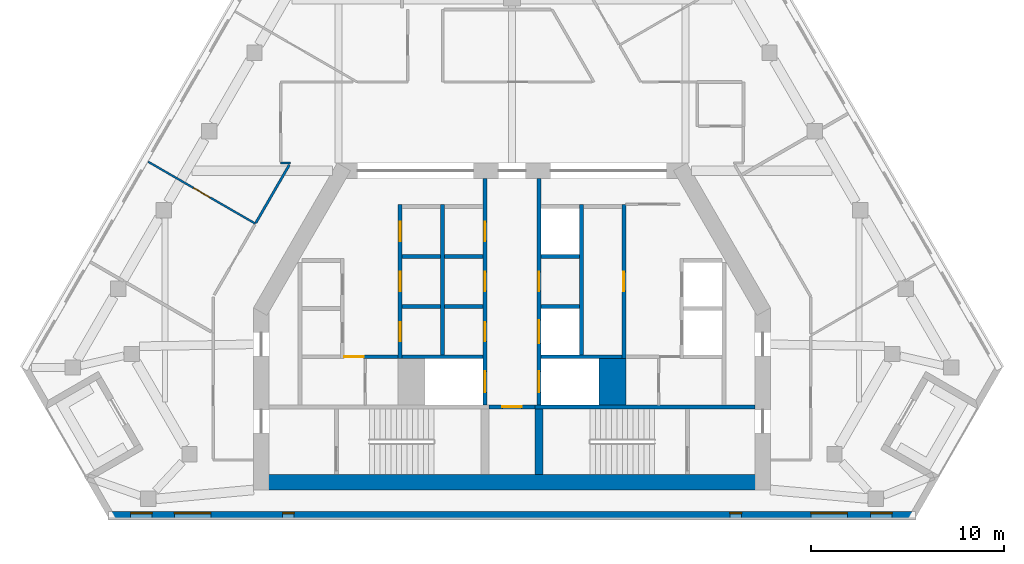
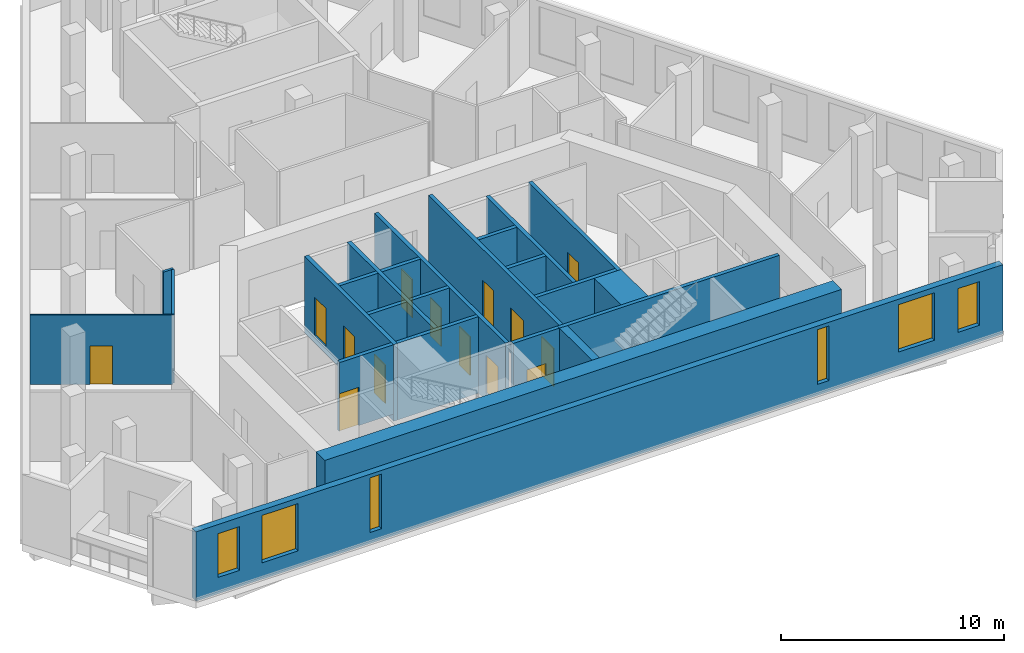
# One storey, part 3 of 9: 24 walls, 14 doors, 6 windows, 20 openings.
"""IFC4 building model written with IfcOpenShell, lengths in metres."""

from ifc_helpers import new_model, si_unit, direction, frame, frame_2d, origin, place, context, subcontext, project, spatial, rectangle, extrude, material, layer, layer_set, type_object, element, fill, save


model = new_model("IFC4")

# Units and contexts
model_context = context("Model", 3, precision=1e-05, world=origin(), true_north=direction((0.0, 1.0)))
body_context = subcontext(model_context, "Body", "Model", "MODEL_VIEW")
ifc_project = project(units=[si_unit("LENGTHUNIT", "METRE"), si_unit("AREAUNIT", "SQUARE_METRE"), si_unit("VOLUMEUNIT", "CUBIC_METRE"), si_unit("PLANEANGLEUNIT", "RADIAN"), si_unit("MASSUNIT", "GRAM", prefix="KILO")], contexts=[model_context])

# Site, building, storey
site_placement = place(None, origin())
site = spatial("IfcSite", under=ifc_project, at=site_placement, CompositionType="ELEMENT")
building_placement = place(site_placement, origin())
building = spatial("IfcBuilding", under=site, at=building_placement, Name="Fogline Exchange Tower", CompositionType="ELEMENT")
storey_placement = place(building_placement, frame((0.0, 0.0, 287.699951171875)))
storey = spatial("IfcBuildingStorey", under=building, at=storey_placement, Name="L65", CompositionType="ELEMENT", Elevation=287.699951171875)

# Walls
ifc_material_1 = material(Name="Concrete C60", Category="concrete")
ifc_layer_1 = layer(ifc_material_1, 1.39990234375)
ifc_layer_set_1 = layer_set([ifc_layer_1], Name="CW140")
wall_type_1 = type_object("IfcWallType", Name="CW140", PredefinedType="SOLIDWALL", material=ifc_layer_set_1)
wall_1_placement = place(storey_placement, frame((5.199951171875, 5.85009765625, -0.39990234375), z_axis=(0.0, 0.0, 1.0), x_axis=(0.0, 1.0, 0.0)))
element("IfcWall", 1, at=wall_1_placement, inside=storey, type_object=wall_type_1, Name="Lift shaft block wall", PredefinedType="SOLIDWALL", context=body_context, shape_type="SweptSolid", body=[
    extrude(rectangle(XDim=2.39990234375, YDim=1.39990234375, at=frame_2d((1.199951171875, 0.0))), origin(), (0.0, 0.0, 1.0), 4.199951171875),
])
ifc_material_2 = material(Name="Concrete C40", Category="concrete")
ifc_layer_2 = layer(ifc_material_2, 0.199951171875)
ifc_layer_set_2 = layer_set([ifc_layer_2], Name="CW20")
wall_type_2 = type_object("IfcWallType", Name="CW20", PredefinedType="SOLIDWALL", material=ifc_layer_set_2)
for number, where, z_axis, x_axis, name in (
    (2, (-5.699951171875, 10.949951171875, 0.0), (0.0, 0.0, 1.0), (1.0, 0.0, 0.0), "Service room wall"),
    (3, (-5.699951171875, 13.550048828125, 0.0), (0.0, 0.0, 1.0), (1.0, 0.0, 0.0), "Service room wall"),
    (4, (-3.5, 10.949951171875, 0.0), (0.0, 0.0, 1.0), (1.0, 0.0, 0.0), "Service room wall"),
    (5, (-3.5, 13.550048828125, 0.0), (0.0, 0.0, 1.0), (1.0, 0.0, 0.0), "Service room wall"),
):
    element("IfcWall", number, at=place(storey_placement, frame(where, z_axis=z_axis, x_axis=x_axis)), inside=storey, type_object=wall_type_2, Name=name, PredefinedType="SOLIDWALL", context=body_context, shape_type="SweptSolid", body=[
        extrude(rectangle(XDim=2.0, YDim=0.199951171875, at=frame_2d((1.0, 0.0))), origin(), (0.0, 0.0, 1.0), 3.800048828125),
    ])

# Wall, opening, door
wall_2_placement = place(storey_placement, frame((-8.699951171875, 8.35009765625, 0.0), z_axis=(0.0, 0.0, 1.0), x_axis=(1.0, 0.0, 0.0)))
wall_2 = element("IfcWall", 6, at=wall_2_placement, inside=storey, type_object=wall_type_2, Name="WC wall", PredefinedType="SOLIDWALL", context=body_context, shape_type="SweptSolid", body=[
    extrude(rectangle(XDim=2.800048828125, YDim=0.199951171875, at=frame_2d((1.39990234375, 0.0))), origin(), (0.0, 0.0, 1.0), 3.800048828125),
])
opening_1_placement = place(wall_2_placement, origin())
opening_1 = element("IfcOpeningElement", 7, at=opening_1_placement, cuts=wall_2, Name="Opening T20-C012", PredefinedType="OPENING", context=body_context, shape_type="SweptSolid", body=[
    extrude(rectangle(XDim=1.0, YDim=2.10009765625, at=frame_2d((0.5, 1.050048828125))), frame((0.0, 0.10986328125, 0.0), z_axis=(0.0, -1.0, 0.0), x_axis=(1.0, 0.0, 0.0)), (0.0, 0.0, 1.0), 0.219970703125),
])
ifc_material_3 = material(Name="Steel and timber fire door", Category="steel")
door_type_1 = type_object("IfcDoorType", Name="D-WC1", OperationType="SINGLE_SWING_LEFT", PredefinedType="DOOR", material=ifc_material_3)
door_1_placement = place(opening_1_placement, frame((1.0, 0.0, 0.0), z_axis=(0.0, 0.0, 1.0), x_axis=(-1.0, 0.0, 0.0)))
door_1 = element("IfcDoor", 8, at=door_1_placement, inside=storey, type_object=door_type_1, Name="Door to Men's WC", OperationType="SINGLE_SWING_LEFT", OverallHeight=2.10009765625, OverallWidth=1.0, PredefinedType="DOOR", context=body_context, shape_type="SweptSolid", body=[
    extrude(rectangle(XDim=1.0, YDim=2.10009765625, at=frame_2d((0.5, 1.050048828125))), frame((0.0, 0.02490234375, 0.0), z_axis=(0.0, -1.0, 0.0), x_axis=(1.0, 0.0, 0.0)), (0.0, 0.0, 1.0), 0.050048828125),
])
fill(opening_1, door_1)

ifc_layer_3 = layer(ifc_material_2, 0.199951171875)
ifc_layer_set_3 = layer_set([ifc_layer_3], Name="CW20R")
wall_type_3 = type_object("IfcWallType", Name="CW20R", PredefinedType="SOLIDWALL", material=ifc_layer_set_3)
wall_3_placement = place(storey_placement, frame((-1.199951171875, 5.75, -0.39990234375), z_axis=(0.0, 0.0, 1.0), x_axis=(1.0, 0.0, 0.0)))
wall_3 = element("IfcWall", 9, at=wall_3_placement, inside=storey, type_object=wall_type_3, Name="Stair enclosure wall", PredefinedType="SOLIDWALL", context=body_context, shape_type="SweptSolid", body=[
    extrude(rectangle(XDim=2.39990234375, YDim=0.199951171875, at=frame_2d((1.199951171875, 0.0))), origin(), (0.0, 0.0, 1.0), 4.199951171875),
])
opening_2_placement = place(wall_3_placement, frame((0.699951171875, 0.0, 0.39990234375)))
opening_2 = element("IfcOpeningElement", 10, at=opening_2_placement, cuts=wall_3, Name="Opening T20-C011", PredefinedType="OPENING", context=body_context, shape_type="SweptSolid", body=[
    extrude(rectangle(XDim=1.0, YDim=2.10009765625, at=frame_2d((0.5, 1.050048828125))), frame((0.0, 0.10986328125, 0.0), z_axis=(0.0, -1.0, 0.0), x_axis=(1.0, 0.0, 0.0)), (0.0, 0.0, 1.0), 0.219970703125),
])
door_type_2 = type_object("IfcDoorType", Name="D-RM1", OperationType="SINGLE_SWING_LEFT", PredefinedType="DOOR", material=ifc_material_3)
door_2_placement = place(opening_2_placement, frame((1.0, 0.0, 0.0), z_axis=(0.0, 0.0, 1.0), x_axis=(-1.0, 0.0, 0.0)))
door_2 = element("IfcDoor", 11, at=door_2_placement, inside=storey, type_object=door_type_2, Name="Door to Library Store", OperationType="SINGLE_SWING_RIGHT", OverallHeight=2.10009765625, OverallWidth=1.0, PredefinedType="DOOR", context=body_context, shape_type="SweptSolid", body=[
    extrude(rectangle(XDim=1.0, YDim=2.10009765625, at=frame_2d((0.5, 1.050048828125))), frame((0.0, 0.02490234375, 0.0), z_axis=(0.0, -1.0, 0.0), x_axis=(1.0, 0.0, 0.0)), (0.0, 0.0, 1.0), 0.050048828125),
])
fill(opening_2, door_2)

# Wall
wall_4_placement = place(storey_placement, frame((1.199951171875, 5.75, -0.39990234375), z_axis=(0.0, 0.0, 1.0), x_axis=(1.0, 0.0, 0.0)))
element("IfcWall", 12, at=wall_4_placement, inside=storey, type_object=wall_type_3, Name="Stair enclosure wall", PredefinedType="SOLIDWALL", context=body_context, shape_type="SweptSolid", body=[
    extrude(rectangle(XDim=11.400146484375, YDim=0.199951171875, at=frame_2d((5.7001953125, 0.0))), origin(), (0.0, 0.0, 1.0), 4.199951171875),
])

# Wall, openings, doors
ifc_layer_4 = layer(ifc_material_2, 0.199951171875)
ifc_layer_set_4 = layer_set([ifc_layer_4], Name="CW20S")
wall_type_4 = type_object("IfcWallType", Name="CW20S", PredefinedType="SOLIDWALL", material=ifc_layer_set_4)
wall_5_placement = place(storey_placement, frame((-5.800048828125, 8.25, -0.39990234375), z_axis=(0.0, 0.0, 1.0), x_axis=(0.0, 1.0, 0.0)))
wall_5 = element("IfcWall", 13, at=wall_5_placement, inside=storey, type_object=wall_type_4, Name="Lift shaft wall", PredefinedType="SOLIDWALL", context=body_context, shape_type="SweptSolid", body=[
    extrude(rectangle(XDim=8.0, YDim=0.199951171875, at=frame_2d((4.0, 0.0))), origin(), (0.0, 0.0, 1.0), 4.199951171875),
])
opening_3_placement = place(wall_5_placement, frame((0.89990234375, 0.0, 0.39990234375)))
opening_3 = element("IfcOpeningElement", 14, at=opening_3_placement, cuts=wall_5, Name="Opening T20-C003", PredefinedType="OPENING", context=body_context, shape_type="SweptSolid", body=[
    extrude(rectangle(XDim=1.0, YDim=2.10009765625, at=frame_2d((0.5, 1.050048828125))), frame((0.0, 0.10986328125, 0.0), z_axis=(0.0, -1.0, 0.0), x_axis=(1.0, 0.0, 0.0)), (0.0, 0.0, 1.0), 0.219970703125),
])
opening_4_placement = place(wall_5_placement, frame((3.5, 0.0, 0.39990234375)))
opening_4 = element("IfcOpeningElement", 15, at=opening_4_placement, cuts=wall_5, Name="Opening T20-C004", PredefinedType="OPENING", context=body_context, shape_type="SweptSolid", body=[
    extrude(rectangle(XDim=1.0, YDim=2.10009765625, at=frame_2d((0.5, 1.050048828125))), frame((0.0, 0.10986328125, 0.0), z_axis=(0.0, -1.0, 0.0), x_axis=(1.0, 0.0, 0.0)), (0.0, 0.0, 1.0), 0.219970703125),
])
opening_5_placement = place(wall_5_placement, frame((6.10009765625, 0.0, 0.39990234375)))
opening_5 = element("IfcOpeningElement", 16, at=opening_5_placement, cuts=wall_5, Name="Opening T20-C005", PredefinedType="OPENING", context=body_context, shape_type="SweptSolid", body=[
    extrude(rectangle(XDim=1.0, YDim=2.10009765625, at=frame_2d((0.5, 1.050048828125))), frame((0.0, 0.10986328125, 0.0), z_axis=(0.0, -1.0, 0.0), x_axis=(1.0, 0.0, 0.0)), (0.0, 0.0, 1.0), 0.219970703125),
])
door_3_placement = place(opening_3_placement, frame((1.0, 0.0, 0.0), z_axis=(0.0, 0.0, 1.0), x_axis=(-1.0, 0.0, 0.0)))
door_3 = element("IfcDoor", 17, at=door_3_placement, inside=storey, type_object=door_type_2, Name="Door to Cable Store", OperationType="SINGLE_SWING_LEFT", OverallHeight=2.10009765625, OverallWidth=1.0, PredefinedType="DOOR", context=body_context, shape_type="SweptSolid", body=[
    extrude(rectangle(XDim=1.0, YDim=2.10009765625, at=frame_2d((0.5, 1.050048828125))), frame((0.0, 0.02490234375, 0.0), z_axis=(0.0, -1.0, 0.0), x_axis=(1.0, 0.0, 0.0)), (0.0, 0.0, 1.0), 0.050048828125),
])
fill(opening_3, door_3)
door_4_placement = place(opening_4_placement, frame((1.0, 0.0, 0.0), z_axis=(0.0, 0.0, 1.0), x_axis=(-1.0, 0.0, 0.0)))
door_4 = element("IfcDoor", 18, at=door_4_placement, inside=storey, type_object=door_type_2, Name="Door to Server Room", OperationType="SINGLE_SWING_RIGHT", OverallHeight=2.10009765625, OverallWidth=1.0, PredefinedType="DOOR", context=body_context, shape_type="SweptSolid", body=[
    extrude(rectangle(XDim=1.0, YDim=2.10009765625, at=frame_2d((0.5, 1.050048828125))), frame((0.0, 0.02490234375, 0.0), z_axis=(0.0, -1.0, 0.0), x_axis=(1.0, 0.0, 0.0)), (0.0, 0.0, 1.0), 0.050048828125),
])
fill(opening_4, door_4)
door_5_placement = place(opening_5_placement, frame((1.0, 0.0, 0.0), z_axis=(0.0, 0.0, 1.0), x_axis=(-1.0, 0.0, 0.0)))
door_5 = element("IfcDoor", 19, at=door_5_placement, inside=storey, type_object=door_type_2, Name="Door to Archive Store", OperationType="SINGLE_SWING_RIGHT", OverallHeight=2.10009765625, OverallWidth=1.0, PredefinedType="DOOR", context=body_context, shape_type="SweptSolid", body=[
    extrude(rectangle(XDim=1.0, YDim=2.10009765625, at=frame_2d((0.5, 1.050048828125))), frame((0.0, 0.02490234375, 0.0), z_axis=(0.0, -1.0, 0.0), x_axis=(1.0, 0.0, 0.0)), (0.0, 0.0, 1.0), 0.050048828125),
])
fill(opening_5, door_5)

# Wall, opening, door
wall_6_placement = place(storey_placement, frame((5.800048828125, 8.25, -0.39990234375), z_axis=(0.0, 0.0, 1.0), x_axis=(0.0, 1.0, 0.0)))
wall_6 = element("IfcWall", 20, at=wall_6_placement, inside=storey, type_object=wall_type_4, Name="Lift shaft wall", PredefinedType="SOLIDWALL", context=body_context, shape_type="SweptSolid", body=[
    extrude(rectangle(XDim=8.0, YDim=0.199951171875, at=frame_2d((4.0, 0.0))), origin(), (0.0, 0.0, 1.0), 4.199951171875),
])
opening_6_placement = place(wall_6_placement, frame((3.5, 0.0, 0.39990234375)))
opening_6 = element("IfcOpeningElement", 21, at=opening_6_placement, cuts=wall_6, Name="Opening T20-C009", PredefinedType="OPENING", context=body_context, shape_type="SweptSolid", body=[
    extrude(rectangle(XDim=1.0, YDim=2.10009765625, at=frame_2d((0.5, 1.050048828125))), frame((0.0, 0.10986328125, 0.0), z_axis=(0.0, -1.0, 0.0), x_axis=(1.0, 0.0, 0.0)), (0.0, 0.0, 1.0), 0.219970703125),
])
door_6_placement = place(opening_6_placement, origin())
door_6 = element("IfcDoor", 22, at=door_6_placement, inside=storey, type_object=door_type_2, Name="Door to Pantry", OperationType="SINGLE_SWING_LEFT", OverallHeight=2.10009765625, OverallWidth=1.0, PredefinedType="DOOR", context=body_context, shape_type="SweptSolid", body=[
    extrude(rectangle(XDim=1.0, YDim=2.10009765625, at=frame_2d((0.5, 1.050048828125))), frame((0.0, 0.02490234375, 0.0), z_axis=(0.0, -1.0, 0.0), x_axis=(1.0, 0.0, 0.0)), (0.0, 0.0, 1.0), 0.050048828125),
])
fill(opening_6, door_6)

# Walls
for number, where, z_axis, x_axis, name in (
    (23, (-3.60009765625, 8.449951171875, -0.39990234375), (0.0, 0.0, 1.0), (0.0, 1.0, 0.0), "Lift shaft wall"),
    (24, (3.60009765625, 8.449951171875, -0.39990234375), (0.0, 0.0, 1.0), (0.0, 1.0, 0.0), "Lift shaft wall"),
):
    element("IfcWall", number, at=place(storey_placement, frame(where, z_axis=z_axis, x_axis=x_axis)), inside=storey, type_object=wall_type_4, Name=name, PredefinedType="SOLIDWALL", context=body_context, shape_type="SweptSolid", body=[
        extrude(rectangle(XDim=7.800048828125, YDim=0.199951171875, at=frame_2d((3.89990234375, 0.0))), origin(), (0.0, 0.0, 1.0), 4.199951171875),
    ])

# Wall, openings, doors
wall_7_placement = place(storey_placement, frame((-1.39990234375, 5.85009765625, -0.39990234375), z_axis=(0.0, 0.0, 1.0), x_axis=(0.0, 1.0, 0.0)))
wall_7 = element("IfcWall", 25, at=wall_7_placement, inside=storey, type_object=wall_type_4, Name="Lift lobby wall", PredefinedType="SOLIDWALL", context=body_context, shape_type="SweptSolid", body=[
    extrude(rectangle(XDim=11.75, YDim=0.199951171875, at=frame_2d((5.875, 0.0))), origin(), (0.0, 0.0, 1.0), 4.199951171875),
])
opening_7_placement = place(wall_7_placement, frame((0.64990234375, 0.0, 0.39990234375)))
opening_7 = element("IfcOpeningElement", 26, at=opening_7_placement, cuts=wall_7, Name="Opening T20-LD01", PredefinedType="OPENING", context=body_context, shape_type="SweptSolid", body=[
    extrude(rectangle(XDim=1.10009765625, YDim=2.10009765625, at=frame_2d((0.550048828125, 1.050048828125))), frame((0.0, 0.10986328125, 0.0), z_axis=(0.0, -1.0, 0.0), x_axis=(1.0, 0.0, 0.0)), (0.0, 0.0, 1.0), 0.219970703125),
])
opening_8_placement = place(wall_7_placement, frame((3.300048828125, 0.0, 0.39990234375)))
opening_8 = element("IfcOpeningElement", 27, at=opening_8_placement, cuts=wall_7, Name="Opening T20-C006", PredefinedType="OPENING", context=body_context, shape_type="SweptSolid", body=[
    extrude(rectangle(XDim=1.0, YDim=2.10009765625, at=frame_2d((0.5, 1.050048828125))), frame((0.0, 0.10986328125, 0.0), z_axis=(0.0, -1.0, 0.0), x_axis=(1.0, 0.0, 0.0)), (0.0, 0.0, 1.0), 0.219970703125),
])
opening_9_placement = place(wall_7_placement, frame((5.89990234375, 0.0, 0.39990234375)))
opening_9 = element("IfcOpeningElement", 28, at=opening_9_placement, cuts=wall_7, Name="Opening T20-C007", PredefinedType="OPENING", context=body_context, shape_type="SweptSolid", body=[
    extrude(rectangle(XDim=1.0, YDim=2.10009765625, at=frame_2d((0.5, 1.050048828125))), frame((0.0, 0.10986328125, 0.0), z_axis=(0.0, -1.0, 0.0), x_axis=(1.0, 0.0, 0.0)), (0.0, 0.0, 1.0), 0.219970703125),
])
opening_10_placement = place(wall_7_placement, frame((8.5, 0.0, 0.39990234375)))
opening_10 = element("IfcOpeningElement", 29, at=opening_10_placement, cuts=wall_7, Name="Opening T20-C008", PredefinedType="OPENING", context=body_context, shape_type="SweptSolid", body=[
    extrude(rectangle(XDim=1.0, YDim=2.10009765625, at=frame_2d((0.5, 1.050048828125))), frame((0.0, 0.10986328125, 0.0), z_axis=(0.0, -1.0, 0.0), x_axis=(1.0, 0.0, 0.0)), (0.0, 0.0, 1.0), 0.219970703125),
])
door_7_placement = place(opening_8_placement, origin())
door_7 = element("IfcDoor", 30, at=door_7_placement, inside=storey, type_object=door_type_2, Name="Door to Library Store", OperationType="SINGLE_SWING_LEFT", OverallHeight=2.10009765625, OverallWidth=1.0, PredefinedType="DOOR", context=body_context, shape_type="SweptSolid", body=[
    extrude(rectangle(XDim=1.0, YDim=2.10009765625, at=frame_2d((0.5, 1.050048828125))), frame((0.0, 0.02490234375, 0.0), z_axis=(0.0, -1.0, 0.0), x_axis=(1.0, 0.0, 0.0)), (0.0, 0.0, 1.0), 0.050048828125),
])
fill(opening_8, door_7)
door_8_placement = place(opening_9_placement, origin())
door_8 = element("IfcDoor", 31, at=door_8_placement, inside=storey, type_object=door_type_2, Name="Door to Stationery Store", OperationType="SINGLE_SWING_LEFT", OverallHeight=2.10009765625, OverallWidth=1.0, PredefinedType="DOOR", context=body_context, shape_type="SweptSolid", body=[
    extrude(rectangle(XDim=1.0, YDim=2.10009765625, at=frame_2d((0.5, 1.050048828125))), frame((0.0, 0.02490234375, 0.0), z_axis=(0.0, -1.0, 0.0), x_axis=(1.0, 0.0, 0.0)), (0.0, 0.0, 1.0), 0.050048828125),
])
fill(opening_9, door_8)
door_9_placement = place(opening_10_placement, origin())
door_9 = element("IfcDoor", 32, at=door_9_placement, inside=storey, type_object=door_type_2, Name="Door to Records Store", OperationType="SINGLE_SWING_LEFT", OverallHeight=2.10009765625, OverallWidth=1.0, PredefinedType="DOOR", context=body_context, shape_type="SweptSolid", body=[
    extrude(rectangle(XDim=1.0, YDim=2.10009765625, at=frame_2d((0.5, 1.050048828125))), frame((0.0, 0.02490234375, 0.0), z_axis=(0.0, -1.0, 0.0), x_axis=(1.0, 0.0, 0.0)), (0.0, 0.0, 1.0), 0.050048828125),
])
fill(opening_10, door_9)
door_type_3 = type_object("IfcDoorType", Name="LD2", OperationType="SLIDING_TO_RIGHT", PredefinedType="DOOR", material=ifc_material_3)
door_10_placement = place(opening_7_placement, origin())
door_10 = element("IfcDoor", 33, at=door_10_placement, inside=storey, type_object=door_type_3, Name="Landing door FF1", OperationType="SLIDING_TO_RIGHT", OverallHeight=2.10009765625, OverallWidth=1.10009765625, PredefinedType="DOOR", context=body_context, shape_type="SweptSolid", body=[
    extrude(rectangle(XDim=1.10009765625, YDim=2.10009765625, at=frame_2d((0.550048828125, 1.050048828125))), frame((0.0, 0.02490234375, 0.0), z_axis=(0.0, -1.0, 0.0), x_axis=(1.0, 0.0, 0.0)), (0.0, 0.0, 1.0), 0.050048828125),
])
fill(opening_7, door_10)

wall_8_placement = place(storey_placement, frame((1.39990234375, 5.85009765625, -0.39990234375), z_axis=(0.0, 0.0, 1.0), x_axis=(0.0, 1.0, 0.0)))
wall_8 = element("IfcWall", 34, at=wall_8_placement, inside=storey, type_object=wall_type_4, Name="Lift lobby wall", PredefinedType="SOLIDWALL", context=body_context, shape_type="SweptSolid", body=[
    extrude(rectangle(XDim=11.75, YDim=0.199951171875, at=frame_2d((5.875, 0.0))), origin(), (0.0, 0.0, 1.0), 4.199951171875),
])
opening_11_placement = place(wall_8_placement, frame((3.199951171875, 0.0, 0.39990234375)))
opening_11 = element("IfcOpeningElement", 35, at=opening_11_placement, cuts=wall_8, Name="Opening T20-LD04", PredefinedType="OPENING", context=body_context, shape_type="SweptSolid", body=[
    extrude(rectangle(XDim=1.199951171875, YDim=2.10009765625, at=frame_2d((0.60009765625, 1.050048828125))), frame((0.0, 0.10986328125, 0.0), z_axis=(0.0, -1.0, 0.0), x_axis=(1.0, 0.0, 0.0)), (0.0, 0.0, 1.0), 0.219970703125),
])
opening_12_placement = place(wall_8_placement, frame((0.64990234375, 0.0, 0.39990234375)))
opening_12 = element("IfcOpeningElement", 36, at=opening_12_placement, cuts=wall_8, Name="Opening T20-LD05", PredefinedType="OPENING", context=body_context, shape_type="SweptSolid", body=[
    extrude(rectangle(XDim=1.10009765625, YDim=2.10009765625, at=frame_2d((0.550048828125, 1.050048828125))), frame((0.0, 0.10986328125, 0.0), z_axis=(0.0, -1.0, 0.0), x_axis=(1.0, 0.0, 0.0)), (0.0, 0.0, 1.0), 0.219970703125),
])
opening_13_placement = place(wall_8_placement, frame((5.89990234375, 0.0, 0.39990234375)))
opening_13 = element("IfcOpeningElement", 37, at=opening_13_placement, cuts=wall_8, Name="Opening T20-C010", PredefinedType="OPENING", context=body_context, shape_type="SweptSolid", body=[
    extrude(rectangle(XDim=1.0, YDim=2.10009765625, at=frame_2d((0.5, 1.050048828125))), frame((0.0, 0.10986328125, 0.0), z_axis=(0.0, -1.0, 0.0), x_axis=(1.0, 0.0, 0.0)), (0.0, 0.0, 1.0), 0.219970703125),
])
door_11_placement = place(opening_13_placement, frame((1.0, 0.0, 0.0), z_axis=(0.0, 0.0, 1.0), x_axis=(-1.0, 0.0, 0.0)))
door_11 = element("IfcDoor", 38, at=door_11_placement, inside=storey, type_object=door_type_2, Name="Door to Archive Store", OperationType="SINGLE_SWING_RIGHT", OverallHeight=2.10009765625, OverallWidth=1.0, PredefinedType="DOOR", context=body_context, shape_type="SweptSolid", body=[
    extrude(rectangle(XDim=1.0, YDim=2.10009765625, at=frame_2d((0.5, 1.050048828125))), frame((0.0, 0.02490234375, 0.0), z_axis=(0.0, -1.0, 0.0), x_axis=(1.0, 0.0, 0.0)), (0.0, 0.0, 1.0), 0.050048828125),
])
fill(opening_13, door_11)
door_type_4 = type_object("IfcDoorType", Name="LD1", OperationType="SLIDING_TO_LEFT", PredefinedType="DOOR", material=ifc_material_3)
door_12_placement = place(opening_11_placement, origin())
door_12 = element("IfcDoor", 39, at=door_12_placement, inside=storey, type_object=door_type_4, Name="Landing door HR3", OperationType="SLIDING_TO_LEFT", OverallHeight=2.10009765625, OverallWidth=1.199951171875, PredefinedType="DOOR", context=body_context, shape_type="SweptSolid", body=[
    extrude(rectangle(XDim=1.199951171875, YDim=2.10009765625, at=frame_2d((0.60009765625, 1.050048828125))), frame((0.0, 0.02490234375, 0.0), z_axis=(0.0, -1.0, 0.0), x_axis=(1.0, 0.0, 0.0)), (0.0, 0.0, 1.0), 0.050048828125),
])
fill(opening_11, door_12)
door_13_placement = place(opening_12_placement, origin())
door_13 = element("IfcDoor", 40, at=door_13_placement, inside=storey, type_object=door_type_3, Name="Landing door FF2", OperationType="SLIDING_TO_RIGHT", OverallHeight=2.10009765625, OverallWidth=1.10009765625, PredefinedType="DOOR", context=body_context, shape_type="SweptSolid", body=[
    extrude(rectangle(XDim=1.10009765625, YDim=2.10009765625, at=frame_2d((0.550048828125, 1.050048828125))), frame((0.0, 0.02490234375, 0.0), z_axis=(0.0, -1.0, 0.0), x_axis=(1.0, 0.0, 0.0)), (0.0, 0.0, 1.0), 0.050048828125),
])
fill(opening_12, door_13)

# Walls
for number, where, z_axis, x_axis, name in (
    (41, (-5.699951171875, 8.35009765625, -0.39990234375), (0.0, 0.0, 1.0), (1.0, 0.0, 0.0), "Lift shaft wall"),
    (42, (1.5, 8.35009765625, -0.39990234375), (0.0, 0.0, 1.0), (1.0, 0.0, 0.0), "Lift shaft wall"),
):
    element("IfcWall", number, at=place(storey_placement, frame(where, z_axis=z_axis, x_axis=x_axis)), inside=storey, type_object=wall_type_4, Name=name, PredefinedType="SOLIDWALL", context=body_context, shape_type="SweptSolid", body=[
        extrude(rectangle(XDim=4.199951171875, YDim=0.199951171875, at=frame_2d((2.10009765625, 0.0))), origin(), (0.0, 0.0, 1.0), 4.199951171875),
    ])
for number, where, z_axis, x_axis, name in (
    (43, (1.5, 10.949951171875, -0.39990234375), (0.0, 0.0, 1.0), (1.0, 0.0, 0.0), "Lift shaft wall"),
    (44, (1.5, 13.550048828125, -0.39990234375), (0.0, 0.0, 1.0), (1.0, 0.0, 0.0), "Lift shaft wall"),
):
    element("IfcWall", number, at=place(storey_placement, frame(where, z_axis=z_axis, x_axis=x_axis)), inside=storey, type_object=wall_type_4, Name=name, PredefinedType="SOLIDWALL", context=body_context, shape_type="SweptSolid", body=[
        extrude(rectangle(XDim=2.0, YDim=0.199951171875, at=frame_2d((1.0, 0.0))), origin(), (0.0, 0.0, 1.0), 4.199951171875),
    ])
ifc_layer_5 = layer(ifc_material_2, 0.39990234375)
ifc_layer_set_5 = layer_set([ifc_layer_5], Name="CW40R")
wall_type_5 = type_object("IfcWallType", Name="CW40R", PredefinedType="SOLIDWALL", material=ifc_layer_set_5)
wall_9_placement = place(storey_placement, frame((1.39990234375, 2.25, -0.39990234375), z_axis=(0.0, 0.0, 1.0), x_axis=(0.0, 1.0, 0.0)))
element("IfcWall", 45, at=wall_9_placement, inside=storey, type_object=wall_type_5, Name="Stair and lift shaft wall", PredefinedType="SOLIDWALL", context=body_context, shape_type="SweptSolid", body=[
    extrude(rectangle(XDim=3.39990234375, YDim=0.39990234375, at=frame_2d((1.699951171875, 0.0))), origin(), (0.0, 0.0, 1.0), 4.199951171875),
])

# Wall, openings, windows
ifc_material_4 = material(Name="Brick masonry", Category="masonry")
ifc_layer_6 = layer(ifc_material_4, 0.340087890625)
ifc_layer_set_6 = layer_set([ifc_layer_6], Name="FW1")
wall_type_6 = type_object("IfcWallType", Name="FW1", PredefinedType="SOLIDWALL", material=ifc_layer_set_6)
wall_10_placement = place(storey_placement, frame((-20.924560546875, 0.169921875, 0.0), z_axis=(0.0, 0.0, 1.0), x_axis=(1.0, 0.0, 0.0)))
wall_10 = element("IfcWall", 46, at=wall_10_placement, inside=storey, type_object=wall_type_6, Name="Brick wall L65 S", PredefinedType="SOLIDWALL", context=body_context, shape_type="SweptSolid", body=[
    extrude(rectangle(XDim=41.84912109375, YDim=0.340087890625, at=frame_2d((20.924560546875, 0.0))), origin(), (0.0, 0.0, 1.0), 3.800048828125),
])
opening_14_placement = place(wall_10_placement, frame((3.424560546875, 0.0, 0.89990234375)))
opening_14 = element("IfcOpeningElement", 47, at=opening_14_placement, cuts=wall_10, Name="Opening W3", PredefinedType="OPENING", context=body_context, shape_type="SweptSolid", body=[
    extrude(rectangle(XDim=1.885009765625, YDim=2.60009765625, at=frame_2d((0.9423828125, 1.300048828125))), frame((0.0, 0.18017578125, 0.0), z_axis=(0.0, -1.0, 0.0), x_axis=(1.0, 0.0, 0.0)), (0.0, 0.0, 1.0), 0.360107421875),
])
opening_15_placement = place(wall_10_placement, frame((36.424560546875, 0.0, 0.89990234375)))
opening_15 = element("IfcOpeningElement", 48, at=opening_15_placement, cuts=wall_10, Name="Opening W3", PredefinedType="OPENING", context=body_context, shape_type="SweptSolid", body=[
    extrude(rectangle(XDim=1.885009765625, YDim=2.60009765625, at=frame_2d((0.9423828125, 1.300048828125))), frame((0.0, 0.18017578125, 0.0), z_axis=(0.0, -1.0, 0.0), x_axis=(1.0, 0.0, 0.0)), (0.0, 0.0, 1.0), 0.360107421875),
])
opening_16_placement = place(wall_10_placement, frame((1.15478515625, 0.0, 0.89990234375)))
opening_16 = element("IfcOpeningElement", 49, at=opening_16_placement, cuts=wall_10, Name="Opening W4", PredefinedType="OPENING", context=body_context, shape_type="SweptSolid", body=[
    extrude(rectangle(XDim=1.114990234375, YDim=2.39990234375, at=frame_2d((0.5576171875, 1.199951171875))), frame((0.0, 0.18017578125, 0.0), z_axis=(0.0, -1.0, 0.0), x_axis=(1.0, 0.0, 0.0)), (0.0, 0.0, 1.0), 0.360107421875),
])
opening_17_placement = place(wall_10_placement, frame((39.52197265625, 0.0, 0.89990234375)))
opening_17 = element("IfcOpeningElement", 50, at=opening_17_placement, cuts=wall_10, Name="Opening W4", PredefinedType="OPENING", context=body_context, shape_type="SweptSolid", body=[
    extrude(rectangle(XDim=1.114990234375, YDim=2.39990234375, at=frame_2d((0.5576171875, 1.199951171875))), frame((0.0, 0.18017578125, 0.0), z_axis=(0.0, -1.0, 0.0), x_axis=(1.0, 0.0, 0.0)), (0.0, 0.0, 1.0), 0.360107421875),
])
opening_18_placement = place(wall_10_placement, frame((9.024658203125, 0.0, 0.60009765625)))
opening_18 = element("IfcOpeningElement", 51, at=opening_18_placement, cuts=wall_10, Name="Opening W5", PredefinedType="OPENING", context=body_context, shape_type="SweptSolid", body=[
    extrude(rectangle(XDim=0.60009765625, YDim=3.0, at=frame_2d((0.300048828125, 1.5))), frame((0.0, 0.18017578125, 0.0), z_axis=(0.0, -1.0, 0.0), x_axis=(1.0, 0.0, 0.0)), (0.0, 0.0, 1.0), 0.360107421875),
])
opening_19_placement = place(wall_10_placement, frame((32.224609375, 0.0, 0.60009765625)))
opening_19 = element("IfcOpeningElement", 52, at=opening_19_placement, cuts=wall_10, Name="Opening W5", PredefinedType="OPENING", context=body_context, shape_type="SweptSolid", body=[
    extrude(rectangle(XDim=0.60009765625, YDim=3.0, at=frame_2d((0.300048828125, 1.5))), frame((0.0, 0.18017578125, 0.0), z_axis=(0.0, -1.0, 0.0), x_axis=(1.0, 0.0, 0.0)), (0.0, 0.0, 1.0), 0.360107421875),
])
ifc_material_5 = material(Name="Aluminium and glass", Category="aluminium")
window_type_1 = type_object("IfcWindowType", Name="W3", PartitioningType="SINGLE_PANEL", PredefinedType="WINDOW", material=ifc_material_5)
window_1_placement = place(opening_14_placement, origin())
window_1 = element("IfcWindow", 53, at=window_1_placement, inside=storey, type_object=window_type_1, Name="W3 W3", OverallHeight=2.60009765625, OverallWidth=1.885009765625, PartitioningType="SINGLE_PANEL", PredefinedType="WINDOW", context=body_context, shape_type="SweptSolid", body=[
    extrude(rectangle(XDim=1.885009765625, YDim=2.60009765625, at=frame_2d((0.9423828125, 1.300048828125))), frame((0.0, 0.110107421875, 0.0), z_axis=(0.0, -1.0, 0.0), x_axis=(1.0, 0.0, 0.0)), (0.0, 0.0, 1.0), 0.06005859375),
])
fill(opening_14, window_1)
window_2_placement = place(opening_15_placement, origin())
window_2 = element("IfcWindow", 54, at=window_2_placement, inside=storey, type_object=window_type_1, Name="W3 W3", OverallHeight=2.60009765625, OverallWidth=1.885009765625, PartitioningType="SINGLE_PANEL", PredefinedType="WINDOW", context=body_context, shape_type="SweptSolid", body=[
    extrude(rectangle(XDim=1.885009765625, YDim=2.60009765625, at=frame_2d((0.9423828125, 1.300048828125))), frame((0.0, 0.110107421875, 0.0), z_axis=(0.0, -1.0, 0.0), x_axis=(1.0, 0.0, 0.0)), (0.0, 0.0, 1.0), 0.06005859375),
])
fill(opening_15, window_2)
window_type_2 = type_object("IfcWindowType", Name="W4", PartitioningType="SINGLE_PANEL", PredefinedType="WINDOW", material=ifc_material_5)
window_3_placement = place(opening_16_placement, origin())
window_3 = element("IfcWindow", 55, at=window_3_placement, inside=storey, type_object=window_type_2, Name="W4 W4", OverallHeight=2.39990234375, OverallWidth=1.114990234375, PartitioningType="SINGLE_PANEL", PredefinedType="WINDOW", context=body_context, shape_type="SweptSolid", body=[
    extrude(rectangle(XDim=1.114990234375, YDim=2.39990234375, at=frame_2d((0.5576171875, 1.199951171875))), frame((0.0, 0.110107421875, 0.0), z_axis=(0.0, -1.0, 0.0), x_axis=(1.0, 0.0, 0.0)), (0.0, 0.0, 1.0), 0.06005859375),
])
fill(opening_16, window_3)
window_4_placement = place(opening_17_placement, origin())
window_4 = element("IfcWindow", 56, at=window_4_placement, inside=storey, type_object=window_type_2, Name="W4 W4", OverallHeight=2.39990234375, OverallWidth=1.114990234375, PartitioningType="SINGLE_PANEL", PredefinedType="WINDOW", context=body_context, shape_type="SweptSolid", body=[
    extrude(rectangle(XDim=1.114990234375, YDim=2.39990234375, at=frame_2d((0.5576171875, 1.199951171875))), frame((0.0, 0.110107421875, 0.0), z_axis=(0.0, -1.0, 0.0), x_axis=(1.0, 0.0, 0.0)), (0.0, 0.0, 1.0), 0.06005859375),
])
fill(opening_17, window_4)
window_type_3 = type_object("IfcWindowType", Name="W5", PartitioningType="SINGLE_PANEL", PredefinedType="WINDOW", material=ifc_material_5)
window_5_placement = place(opening_18_placement, origin())
window_5 = element("IfcWindow", 57, at=window_5_placement, inside=storey, type_object=window_type_3, Name="W5 W5", OverallHeight=3.0, OverallWidth=0.60009765625, PartitioningType="SINGLE_PANEL", PredefinedType="WINDOW", context=body_context, shape_type="SweptSolid", body=[
    extrude(rectangle(XDim=0.60009765625, YDim=3.0, at=frame_2d((0.300048828125, 1.5))), frame((0.0, 0.110107421875, 0.0), z_axis=(0.0, -1.0, 0.0), x_axis=(1.0, 0.0, 0.0)), (0.0, 0.0, 1.0), 0.06005859375),
])
fill(opening_18, window_5)
window_6_placement = place(opening_19_placement, origin())
window_6 = element("IfcWindow", 58, at=window_6_placement, inside=storey, type_object=window_type_3, Name="W5 W5", OverallHeight=3.0, OverallWidth=0.60009765625, PartitioningType="SINGLE_PANEL", PredefinedType="WINDOW", context=body_context, shape_type="SweptSolid", body=[
    extrude(rectangle(XDim=0.60009765625, YDim=3.0, at=frame_2d((0.300048828125, 1.5))), frame((0.0, 0.110107421875, 0.0), z_axis=(0.0, -1.0, 0.0), x_axis=(1.0, 0.0, 0.0)), (0.0, 0.0, 1.0), 0.06005859375),
])
fill(opening_19, window_6)

# Wall, opening, door
ifc_material_6 = material(Name="Plasterboard partition, 2 layers each side on steel studs", Category="steel")
ifc_layer_7 = layer(ifc_material_6, 0.10009765625)
ifc_layer_set_7 = layer_set([ifc_layer_7], Name="PW1")
wall_type_7 = type_object("IfcWallType", Name="PW1", PredefinedType="PARTITIONING", material=ifc_layer_set_7)
wall_11_placement = place(storey_placement, frame((-13.30615234375, 15.25439453125, 0.0), z_axis=(0.0, 0.0, 1.0), x_axis=(-0.866022320763, 0.500005339912, 0.0)))
wall_11 = element("IfcWall", 59, at=wall_11_placement, inside=storey, type_object=wall_type_7, Name="wall-L65-W043", PredefinedType="PARTITIONING", context=body_context, shape_type="SweptSolid", body=[
    extrude(rectangle(XDim=6.4248046875, YDim=0.10009765625, at=frame_2d((3.21240234375, 0.0))), origin(), (0.0, 0.0, 1.0), 3.800048828125),
])
opening_20_placement = place(wall_11_placement, frame((2.71240234375, 0.0, 0.0)))
opening_20 = element("IfcOpeningElement", 60, at=opening_20_placement, cuts=wall_11, Name="Opening T20-D015", PredefinedType="OPENING", context=body_context, shape_type="SweptSolid", body=[
    extrude(rectangle(XDim=1.0, YDim=2.10009765625, at=frame_2d((0.5, 1.050048828125))), frame((0.0, 0.06005859375, 0.0), z_axis=(0.0, -1.0, 0.0), x_axis=(1.0, 0.0, 0.0)), (0.0, 0.0, 1.0), 0.1201171875),
])
ifc_material_7 = material(Name="Timber door leaf with steel frame", Category="steel")
door_type_5 = type_object("IfcDoorType", Name="D1", OperationType="SINGLE_SWING_LEFT", PredefinedType="DOOR", material=ifc_material_7)
door_14_placement = place(opening_20_placement, origin())
door_14 = element("IfcDoor", 61, at=door_14_placement, inside=storey, type_object=door_type_5, Name="door-L65-D015", OperationType="SINGLE_SWING_RIGHT", OverallHeight=2.10009765625, OverallWidth=1.0, PredefinedType="DOOR", context=body_context, shape_type="SweptSolid", body=[
    extrude(rectangle(XDim=1.0, YDim=2.10009765625, at=frame_2d((0.5, 1.050048828125))), frame((0.0, 0.02490234375, 0.0), z_axis=(0.0, -1.0, 0.0), x_axis=(1.0, 0.0, 0.0)), (0.0, 0.0, 1.0), 0.050048828125),
])
fill(opening_20, door_14)

# Walls
ifc_material_8 = material(Name="Plasterboard corridor partition with mineral wool, 2 layers each side")
ifc_layer_8 = layer(ifc_material_8, 0.125)
ifc_layer_set_8 = layer_set([ifc_layer_8], Name="PW2")
wall_type_8 = type_object("IfcWallType", Name="PW2", PredefinedType="PARTITIONING", material=ifc_layer_set_8)
wall_12_placement = place(storey_placement, frame((-11.489990234375, 18.39990234375, 0.0), z_axis=(0.0, 0.0, 1.0), x_axis=(-1.0, 0.0, 0.0)))
element("IfcWall", 62, at=wall_12_placement, inside=storey, type_object=wall_type_8, Name="wall-L65-W013", PredefinedType="PARTITIONING", context=body_context, shape_type="SweptSolid", body=[
    extrude(rectangle(XDim=0.510009765625, YDim=0.125, at=frame_2d((0.2548828125, 0.0))), origin(), (0.0, 0.0, 1.0), 3.800048828125),
])
wall_13_placement = place(storey_placement, frame((-13.281005859375, 15.298095703125, 0.0), z_axis=(0.0, 0.0, 1.0), x_axis=(0.500002355744, 0.866024043691, 0.0)))
element("IfcWall", 63, at=wall_13_placement, inside=storey, type_object=wall_type_8, Name="wall-L65-W016", PredefinedType="PARTITIONING", context=body_context, shape_type="SweptSolid", body=[
    extrude(rectangle(XDim=3.47314453125, YDim=0.125, at=frame_2d((1.736572265625, 0.0))), origin(), (0.0, 0.0, 1.0), 3.800048828125),
])
ifc_material_9 = material(Name="Concrete C50", Category="concrete")
ifc_layer_9 = layer(ifc_material_9, 0.800048828125)
ifc_layer_set_9 = layer_set([ifc_layer_9], Name="SW04")
wall_type_9 = type_object("IfcWallType", Name="SW04", PredefinedType="SHEAR", material=ifc_layer_set_9)
wall_14_placement = place(storey_placement, frame((-13.39990234375, 1.85009765625, 0.0), z_axis=(0.0, 0.0, 1.0), x_axis=(1.0, 0.0, 0.0)))
element("IfcWall", 64, at=wall_14_placement, inside=storey, type_object=wall_type_9, Name="L65-W901", PredefinedType="SHEAR", context=body_context, shape_type="SweptSolid", body=[
    extrude(rectangle(XDim=26.7998046875, YDim=0.800048828125, at=frame_2d((13.39990234375, 0.0))), origin(), (0.0, 0.0, 1.0), 4.199951171875),
])

save(model, "model.ifc")
